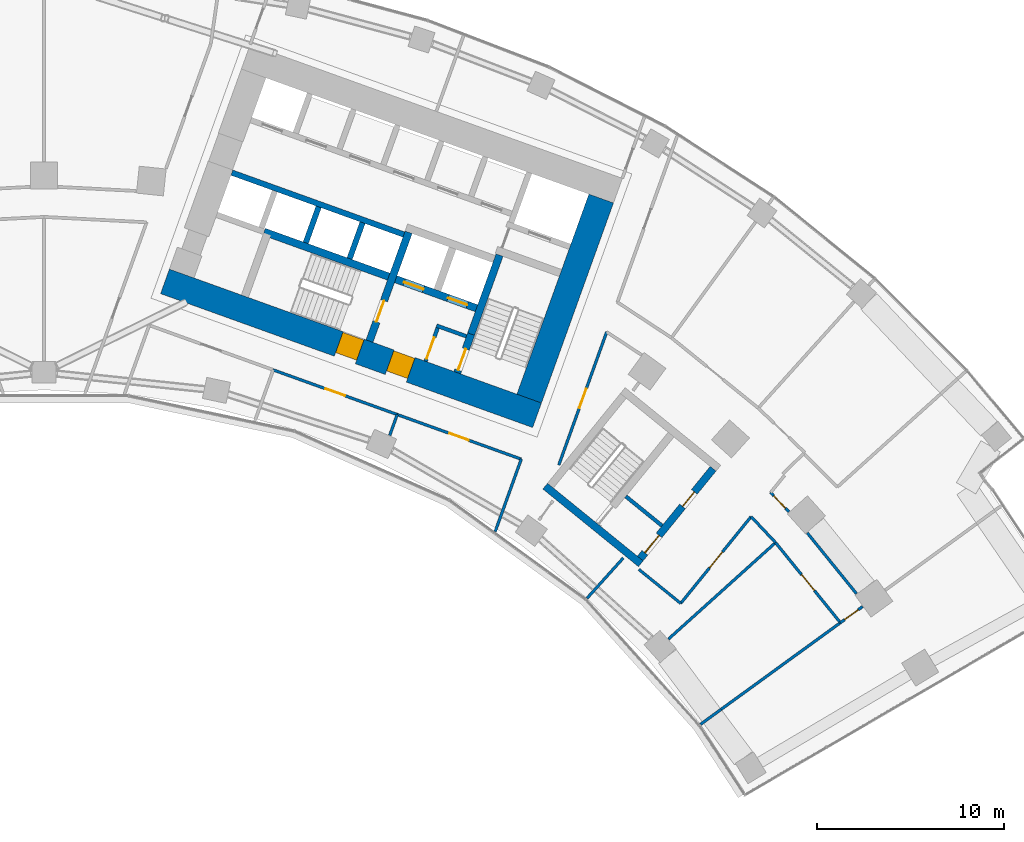
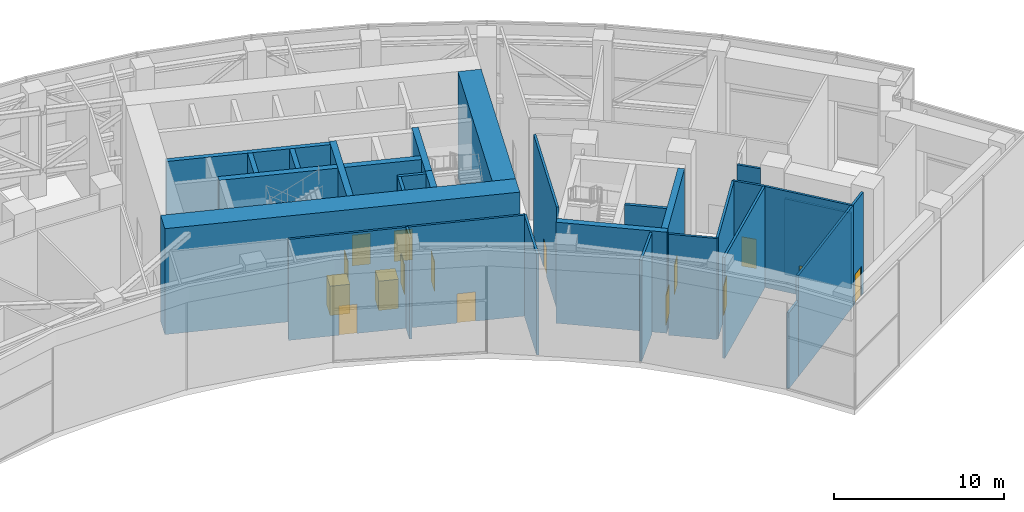
# One storey, part 25 of 30: 30 walls, 16 doors, 16 openings.
"""IFC4 building model written with IfcOpenShell, lengths in metres."""

from ifc_helpers import new_model, si_unit, direction, frame, frame_2d, origin, place, context, subcontext, project, spatial, rectangle, extrude, material, layer, layer_set, type_object, element, fill, save


model = new_model("IFC4")

# Units and contexts
model_context = context("Model", 3, precision=1e-05, world=origin(), true_north=direction((0.0, 1.0)))
body_context = subcontext(model_context, "Body", "Model", "MODEL_VIEW")
ifc_project = project(units=[si_unit("LENGTHUNIT", "METRE"), si_unit("AREAUNIT", "SQUARE_METRE"), si_unit("VOLUMEUNIT", "CUBIC_METRE"), si_unit("PLANEANGLEUNIT", "RADIAN"), si_unit("MASSUNIT", "GRAM", prefix="KILO")], contexts=[model_context])

# Site, building, storey
site_placement = place(None, origin())
site = spatial("IfcSite", under=ifc_project, at=site_placement, CompositionType="ELEMENT")
building_placement = place(site_placement, origin())
building = spatial("IfcBuilding", under=site, at=building_placement, Name="Stone Belt Terrace Tower", CompositionType="ELEMENT")
storey_placement = place(building_placement, frame((0.0, 0.0, 136.39990234375)))
storey = spatial("IfcBuildingStorey", under=building, at=storey_placement, Name="L33", CompositionType="ELEMENT", Elevation=136.39990234375)

# Wall, openings, doors
ifc_material_1 = material(Name="Concrete B80", Category="concrete")
ifc_layer_1 = layer(ifc_material_1, 1.39990234375)
ifc_layer_set_1 = layer_set([ifc_layer_1], Name="Core wall 1400 B80")
wall_type_1 = type_object("IfcWallType", Name="Core wall 1400 B80", PredefinedType="SHEAR", material=ifc_layer_set_1)
wall_1_placement = place(storey_placement, frame((6.4833984375, 49.318115234375, 0.0), z_axis=(0.0, 0.0, 1.0), x_axis=(0.940923374003, -0.33861955681, 0.0)))
wall_1 = element("IfcWall", 1, at=wall_1_placement, inside=storey, type_object=wall_type_1, Name="Core B wall concave L33", PredefinedType="SHEAR", context=body_context, shape_type="SweptSolid", body=[
    extrude(rectangle(XDim=21.199951171875, YDim=1.39990234375, at=frame_2d((10.60009765625, 0.0))), origin(), (0.0, 0.0, 1.0), 7.60009765625),
])
opening_1_placement = place(wall_1_placement, frame((12.800048828125, 0.0, 0.0)))
opening_1 = element("IfcOpeningElement", 2, at=opening_1_placement, cuts=wall_1, Name="Opening L33-C13", PredefinedType="OPENING", context=body_context, shape_type="SweptSolid", body=[
    extrude(rectangle(XDim=1.199951171875, YDim=2.10009765625, at=frame_2d((0.60009765625, 1.050048828125))), frame((0.0, 0.7099609375, 0.0), z_axis=(0.0, -1.0, 0.0), x_axis=(1.0, 0.0, 0.0)), (0.0, 0.0, 1.0), 1.419921875),
])
opening_2_placement = place(wall_1_placement, frame((9.89990234375, 0.0, 0.0)))
opening_2 = element("IfcOpeningElement", 3, at=opening_2_placement, cuts=wall_1, Name="Opening L33-C15", PredefinedType="OPENING", context=body_context, shape_type="SweptSolid", body=[
    extrude(rectangle(XDim=1.199951171875, YDim=2.10009765625, at=frame_2d((0.60009765625, 1.050048828125))), frame((0.0, 0.7099609375, 0.0), z_axis=(0.0, -1.0, 0.0), x_axis=(1.0, 0.0, 0.0)), (0.0, 0.0, 1.0), 1.419921875),
])
ifc_material_2 = material(Name="Steel door leaf", Category="steel")
door_type_1 = type_object("IfcDoorType", Name="Fire-fighting lobby door 1200", OperationType="SINGLE_SWING_LEFT", PredefinedType="DOOR", material=ifc_material_2)
door_1_placement = place(opening_1_placement, origin())
door_1 = element("IfcDoor", 4, at=door_1_placement, inside=storey, type_object=door_type_1, Name="Fire-fighting lobby door core B", OperationType="SINGLE_SWING_RIGHT", OverallHeight=2.10009765625, OverallWidth=1.199951171875, PredefinedType="DOOR", context=body_context, shape_type="SweptSolid", body=[
    extrude(rectangle(XDim=1.199951171875, YDim=2.10009765625, at=frame_2d((0.60009765625, 1.050048828125))), frame((0.0, 0.655029296875, 0.0), z_axis=(0.0, -1.0, 0.0), x_axis=(1.0, 0.0, 0.0)), (0.0, 0.0, 1.0), 1.14990234375),
])
fill(opening_1, door_1)
door_type_2 = type_object("IfcDoorType", Name="Stair door 1200", OperationType="SINGLE_SWING_LEFT", PredefinedType="DOOR", material=ifc_material_2)
door_2_placement = place(opening_2_placement, origin())
door_2 = element("IfcDoor", 5, at=door_2_placement, inside=storey, type_object=door_type_2, Name="Stair 2 exit door core B", OperationType="SINGLE_SWING_LEFT", OverallHeight=2.10009765625, OverallWidth=1.199951171875, PredefinedType="DOOR", context=body_context, shape_type="SweptSolid", body=[
    extrude(rectangle(XDim=1.199951171875, YDim=2.10009765625, at=frame_2d((0.60009765625, 1.050048828125))), frame((0.0, 0.655029296875, 0.0), z_axis=(0.0, -1.0, 0.0), x_axis=(1.0, 0.0, 0.0)), (0.0, 0.0, 1.0), 1.14990234375),
])
fill(opening_2, door_2)

# Walls
wall_2_placement = place(storey_placement, frame((26.00927734375, 43.03515625, 0.0), z_axis=(0.0, 0.0, 1.0), x_axis=(0.338625431531, 0.940921259788, 0.0)))
element("IfcWall", 6, at=wall_2_placement, inside=storey, type_object=wall_type_1, Name="Core B wall end_b L33", PredefinedType="SHEAR", context=body_context, shape_type="SweptSolid", body=[
    extrude(rectangle(XDim=11.400146484375, YDim=1.39990234375, at=frame_2d((5.7001953125, 0.0))), origin(), (0.0, 0.0, 1.0), 7.60009765625),
])
ifc_layer_2 = layer(ifc_material_1, 0.300048828125)
ifc_layer_set_2 = layer_set([ifc_layer_2], Name="Lift shaft wall 300")
wall_type_2 = type_object("IfcWallType", Name="Lift shaft wall 300", PredefinedType="SHEAR", material=ifc_layer_set_2)
wall_3_placement = place(storey_placement, frame((19.29052734375, 51.829833984375, 0.0), z_axis=(0.0, 0.0, 1.0), x_axis=(-0.940925833398, 0.338612722803, 0.0)))
element("IfcWall", 7, at=wall_3_placement, inside=storey, type_object=wall_type_2, Name="Core B wall", PredefinedType="SHEAR", context=body_context, shape_type="SweptSolid", body=[
    extrude(rectangle(XDim=9.7998046875, YDim=0.300048828125, at=frame_2d((4.89990234375, 0.0))), origin(), (0.0, 0.0, 1.0), 7.25),
])
for number, where, z_axis, x_axis, name in (
    (8, (16.38134765625, 50.53857421875, 0.0), (0.0, 0.0, 1.0), (0.338681515556, 0.940901073982, 0.0), "Core B wall"),
    (9, (14.029052734375, 51.38525390625, 0.0), (0.0, 0.0, 1.0), (0.338681515556, 0.940901073982, 0.0), "Core B wall"),
):
    element("IfcWall", number, at=place(storey_placement, frame(where, z_axis=z_axis, x_axis=x_axis)), inside=storey, type_object=wall_type_2, Name=name, PredefinedType="SHEAR", context=body_context, shape_type="SweptSolid", body=[
        extrude(rectangle(XDim=2.050048828125, YDim=0.300048828125, at=frame_2d((1.02490234375, 0.0))), origin(), (0.0, 0.0, 1.0), 7.25),
    ])
ifc_material_3 = material(Name="Gypsum board partition")
ifc_layer_3 = layer(ifc_material_3, 0.14990234375)
ifc_layer_set_3 = layer_set([ifc_layer_3], Name="PARTITION 150 EI 60")
wall_type_3 = type_object("IfcWallType", Name="PARTITION 150 EI 60", PredefinedType="PARTITIONING", material=ifc_layer_set_3)
wall_4_placement = place(storey_placement, frame((24.18603515625, 35.902099609375, 0.0), z_axis=(0.0, 0.0, 1.0), x_axis=(0.338545933013, 0.940949866486, 0.0)))
element("IfcWall", 10, at=wall_4_placement, inside=storey, type_object=wall_type_3, Name="L33/wall/i023", PredefinedType="PARTITIONING", context=body_context, shape_type="SweptSolid", body=[
    extrude(rectangle(XDim=4.135009765625, YDim=0.14990234375, at=frame_2d((2.0673828125, 0.0))), origin(), (0.0, 0.0, 1.0), 7.25),
])

# Wall, opening, door
wall_5_placement = place(storey_placement, frame((30.1669921875, 46.612060546875, 0.0), z_axis=(0.0, 0.0, 1.0), x_axis=(-0.338694393991, -0.940896438233, 0.0)))
wall_5 = element("IfcWall", 11, at=wall_5_placement, inside=storey, type_object=wall_type_3, Name="L33/wall/i025", PredefinedType="PARTITIONING", context=body_context, shape_type="SweptSolid", body=[
    extrude(rectangle(XDim=7.585205078125, YDim=0.14990234375, at=frame_2d((3.79248046875, 0.0))), origin(), (0.0, 0.0, 1.0), 7.25),
])
opening_3_placement = place(wall_5_placement, frame((3.24267578125, 0.0, 0.0)))
opening_3 = element("IfcOpeningElement", 12, at=opening_3_placement, cuts=wall_5, Name="Opening D-T2-20", PredefinedType="OPENING", context=body_context, shape_type="SweptSolid", body=[
    extrude(rectangle(XDim=1.10009765625, YDim=2.10009765625, at=frame_2d((0.550048828125, 1.050048828125))), frame((0.0, 0.0849609375, 0.0), z_axis=(0.0, -1.0, 0.0), x_axis=(1.0, 0.0, 0.0)), (0.0, 0.0, 1.0), 0.169921875),
])
ifc_material_4 = material(Name="Steel fire door set", Category="steel")
door_type_3 = type_object("IfcDoorType", Name="SERVICE ROOM DOOR 1100 X 2100", OperationType="NOTDEFINED", PredefinedType="DOOR", material=ifc_material_4)
door_3_placement = place(opening_3_placement, origin())
door_3 = element("IfcDoor", 13, at=door_3_placement, inside=storey, type_object=door_type_3, Name="L33/door/i20", OperationType="SINGLE_SWING_RIGHT", OverallHeight=2.10009765625, OverallWidth=1.10009765625, PredefinedType="DOOR", context=body_context, shape_type="SweptSolid", body=[
    extrude(rectangle(XDim=1.10009765625, YDim=2.10009765625, at=frame_2d((0.550048828125, 1.050048828125))), frame((0.0, 0.02490234375, 0.0), z_axis=(0.0, -1.0, 0.0), x_axis=(1.0, 0.0, 0.0)), (0.0, 0.0, 1.0), 0.050048828125),
])
fill(opening_3, door_3)

wall_6_placement = place(storey_placement, frame((18.94091796875, 42.177978515625, 0.0), z_axis=(0.0, 0.0, 1.0), x_axis=(-0.940930050063, 0.338601005444, 0.0)))
wall_6 = element("IfcWall", 14, at=wall_6_placement, inside=storey, type_object=wall_type_3, Name="L33/wall/i029", PredefinedType="PARTITIONING", context=body_context, shape_type="SweptSolid", body=[
    extrude(rectangle(XDim=7.0791015625, YDim=0.14990234375, at=frame_2d((3.53955078125, 0.0))), origin(), (0.0, 0.0, 1.0), 7.25),
])
opening_4_placement = place(wall_6_placement, frame((2.989501953125, 0.0, 0.0)))
opening_4 = element("IfcOpeningElement", 15, at=opening_4_placement, cuts=wall_6, Name="Opening D-T2-07", PredefinedType="OPENING", context=body_context, shape_type="SweptSolid", body=[
    extrude(rectangle(XDim=1.10009765625, YDim=2.10009765625, at=frame_2d((0.550048828125, 1.050048828125))), frame((0.0, 0.0849609375, 0.0), z_axis=(0.0, -1.0, 0.0), x_axis=(1.0, 0.0, 0.0)), (0.0, 0.0, 1.0), 0.169921875),
])
door_4_placement = place(opening_4_placement, origin())
door_4 = element("IfcDoor", 16, at=door_4_placement, inside=storey, type_object=door_type_3, Name="L33/door/i07", OperationType="SINGLE_SWING_RIGHT", OverallHeight=2.10009765625, OverallWidth=1.10009765625, PredefinedType="DOOR", context=body_context, shape_type="SweptSolid", body=[
    extrude(rectangle(XDim=1.10009765625, YDim=2.10009765625, at=frame_2d((0.550048828125, 1.050048828125))), frame((0.0, 0.02490234375, 0.0), z_axis=(0.0, -1.0, 0.0), x_axis=(1.0, 0.0, 0.0)), (0.0, 0.0, 1.0), 0.050048828125),
])
fill(opening_4, door_4)

wall_7_placement = place(storey_placement, frame((25.583984375, 39.787109375, 0.0), z_axis=(0.0, 0.0, 1.0), x_axis=(-0.940934046642, 0.338589899245, 0.0)))
wall_7 = element("IfcWall", 17, at=wall_7_placement, inside=storey, type_object=wall_type_3, Name="L33/wall/i030", PredefinedType="PARTITIONING", context=body_context, shape_type="SweptSolid", body=[
    extrude(rectangle(XDim=7.07275390625, YDim=0.14990234375, at=frame_2d((3.536376953125, 0.0))), origin(), (0.0, 0.0, 1.0), 7.25),
])
opening_5_placement = place(wall_7_placement, frame((2.986328125, 0.0, 0.0)))
opening_5 = element("IfcOpeningElement", 18, at=opening_5_placement, cuts=wall_7, Name="Opening D-T2-08", PredefinedType="OPENING", context=body_context, shape_type="SweptSolid", body=[
    extrude(rectangle(XDim=1.10009765625, YDim=2.10009765625, at=frame_2d((0.550048828125, 1.050048828125))), frame((0.0, 0.0849609375, 0.0), z_axis=(0.0, -1.0, 0.0), x_axis=(1.0, 0.0, 0.0)), (0.0, 0.0, 1.0), 0.169921875),
])
door_5_placement = place(opening_5_placement, origin())
door_5 = element("IfcDoor", 19, at=door_5_placement, inside=storey, type_object=door_type_3, Name="L33/door/i08", OperationType="SINGLE_SWING_LEFT", OverallHeight=2.10009765625, OverallWidth=1.10009765625, PredefinedType="DOOR", context=body_context, shape_type="SweptSolid", body=[
    extrude(rectangle(XDim=1.10009765625, YDim=2.10009765625, at=frame_2d((0.550048828125, 1.050048828125))), frame((0.0, 0.02490234375, 0.0), z_axis=(0.0, -1.0, 0.0), x_axis=(1.0, 0.0, 0.0)), (0.0, 0.0, 1.0), 0.050048828125),
])
fill(opening_5, door_5)

# Wall
wall_8_placement = place(storey_placement, frame((18.93505859375, 42.179931640625, 0.0), z_axis=(0.0, 0.0, 1.0), x_axis=(-0.338639426821, -0.940916222946, 0.0)))
element("IfcWall", 20, at=wall_8_placement, inside=storey, type_object=wall_type_3, Name="L33/wall/i032", PredefinedType="PARTITIONING", context=body_context, shape_type="SweptSolid", body=[
    extrude(rectangle(XDim=1.188232421875, YDim=0.14990234375, at=frame_2d((0.59423828125, 0.0))), origin(), (0.0, 0.0, 1.0), 7.25),
])

# Wall, opening, door
wall_9_placement = place(storey_placement, frame((43.885498046875, 31.8837890625, 0.0), z_axis=(0.0, 0.0, 1.0), x_axis=(-0.809093464273, -0.587679986108, 0.0)))
wall_9 = element("IfcWall", 21, at=wall_9_placement, inside=storey, type_object=wall_type_3, Name="L33/wall/i055", PredefinedType="PARTITIONING", context=body_context, shape_type="SweptSolid", body=[
    extrude(rectangle(XDim=1.4765625, YDim=0.14990234375, at=frame_2d((0.73828125, 0.0))), origin(), (0.0, 0.0, 1.0), 7.25),
])
opening_6_placement = place(wall_9_placement, frame((0.288330078125, 0.0, 0.0)))
opening_6 = element("IfcOpeningElement", 22, at=opening_6_placement, cuts=wall_9, Name="Opening D-T2-19", PredefinedType="OPENING", context=body_context, shape_type="SweptSolid", body=[
    extrude(rectangle(XDim=0.89990234375, YDim=2.10009765625, at=frame_2d((0.449951171875, 1.050048828125))), frame((0.0, 0.0849609375, 0.0), z_axis=(0.0, -1.0, 0.0), x_axis=(1.0, 0.0, 0.0)), (0.0, 0.0, 1.0), 0.169921875),
])
door_type_4 = type_object("IfcDoorType", Name="SERVICE ROOM DOOR 900 X 2100", OperationType="NOTDEFINED", PredefinedType="DOOR", material=ifc_material_4)
door_6_placement = place(opening_6_placement, origin())
door_6 = element("IfcDoor", 23, at=door_6_placement, inside=storey, type_object=door_type_4, Name="L33/door/i19", OperationType="SINGLE_SWING_RIGHT", OverallHeight=2.10009765625, OverallWidth=0.89990234375, PredefinedType="DOOR", context=body_context, shape_type="SweptSolid", body=[
    extrude(rectangle(XDim=0.89990234375, YDim=2.10009765625, at=frame_2d((0.449951171875, 1.050048828125))), frame((0.0, 0.02490234375, 0.0), z_axis=(0.0, -1.0, 0.0), x_axis=(1.0, 0.0, 0.0)), (0.0, 0.0, 1.0), 0.050048828125),
])
fill(opening_6, door_6)

# Walls
wall_10_placement = place(storey_placement, frame((35.192138671875, 25.568115234375, 0.0), z_axis=(0.0, 0.0, 1.0), x_axis=(0.80905317797, 0.587735446623, 0.0)))
element("IfcWall", 24, at=wall_10_placement, inside=storey, type_object=wall_type_3, Name="L33/wall/i056-2", PredefinedType="PARTITIONING", context=body_context, shape_type="SweptSolid", body=[
    extrude(rectangle(XDim=1.364501953125, YDim=0.14990234375, at=frame_2d((0.68212890625, 0.0))), origin(), (0.0, 0.0, 1.0), 5.4501953125),
])
wall_11_placement = place(storey_placement, frame((36.296142578125, 26.3701171875, 0.0), z_axis=(0.0, 0.0, 1.0), x_axis=(0.809048034644, 0.587742526654, 0.0)))
element("IfcWall", 25, at=wall_11_placement, inside=storey, type_object=wall_type_3, Name="L33/wall/i056-3", PredefinedType="PARTITIONING", context=body_context, shape_type="SweptSolid", body=[
    extrude(rectangle(XDim=7.91650390625, YDim=0.14990234375, at=frame_2d((3.958251953125, 0.0))), origin(), (0.0, 0.0, 1.0), 7.25),
])
wall_12_placement = place(storey_placement, frame((39.218994140625, 35.31298828125, 0.0), z_axis=(0.0, 0.0, 1.0), x_axis=(-0.685150397177, 0.728401629082, 0.0)))
element("IfcWall", 26, at=wall_12_placement, inside=storey, type_object=wall_type_3, Name="L33/wall/i064", PredefinedType="PARTITIONING", context=body_context, shape_type="SweptSolid", body=[
    extrude(rectangle(XDim=1.919189453125, YDim=0.14990234375, at=frame_2d((0.95947265625, 0.0))), origin(), (0.0, 0.0, 1.0), 7.25),
])

# Wall, opening, door
wall_13_placement = place(storey_placement, frame((42.696044921875, 31.02001953125, 0.0), z_axis=(0.0, 0.0, 1.0), x_axis=(-0.629393988906, 0.777086357318, 0.0)))
wall_13 = element("IfcWall", 27, at=wall_13_placement, inside=storey, type_object=wall_type_3, Name="L33/wall/i065", PredefinedType="PARTITIONING", context=body_context, shape_type="SweptSolid", body=[
    extrude(rectangle(XDim=5.5244140625, YDim=0.14990234375, at=frame_2d((2.76220703125, 0.0))), origin(), (0.0, 0.0, 1.0), 7.25),
])
opening_7_placement = place(wall_13_placement, frame((2.212158203125, 0.0, 0.0)))
opening_7 = element("IfcOpeningElement", 28, at=opening_7_placement, cuts=wall_13, Name="Opening D-T2-23", PredefinedType="OPENING", context=body_context, shape_type="SweptSolid", body=[
    extrude(rectangle(XDim=1.10009765625, YDim=2.10009765625, at=frame_2d((0.550048828125, 1.050048828125))), frame((0.0, 0.0849609375, 0.0), z_axis=(0.0, -1.0, 0.0), x_axis=(1.0, 0.0, 0.0)), (0.0, 0.0, 1.0), 0.169921875),
])
door_7_placement = place(opening_7_placement, origin())
door_7 = element("IfcDoor", 29, at=door_7_placement, inside=storey, type_object=door_type_3, Name="L33/door/i23", OperationType="SINGLE_SWING_RIGHT", OverallHeight=2.10009765625, OverallWidth=1.10009765625, PredefinedType="DOOR", context=body_context, shape_type="SweptSolid", body=[
    extrude(rectangle(XDim=1.10009765625, YDim=2.10009765625, at=frame_2d((0.550048828125, 1.050048828125))), frame((0.0, 0.02490234375, 0.0), z_axis=(0.0, -1.0, 0.0), x_axis=(1.0, 0.0, 0.0)), (0.0, 0.0, 1.0), 0.050048828125),
])
fill(opening_7, door_7)

wall_14_placement = place(storey_placement, frame((38.951904296875, 38.00390625, 0.0), z_axis=(0.0, 0.0, 1.0), x_axis=(0.685525137742, -0.728048958192, 0.0)))
wall_14 = element("IfcWall", 30, at=wall_14_placement, inside=storey, type_object=wall_type_3, Name="L33/wall/i066", PredefinedType="PARTITIONING", context=body_context, shape_type="SweptSolid", body=[
    extrude(rectangle(XDim=1.423828125, YDim=0.14990234375, at=frame_2d((0.7119140625, 0.0))), origin(), (0.0, 0.0, 1.0), 7.25),
])
opening_8_placement = place(wall_14_placement, frame((0.261962890625, 0.0, 0.0)))
opening_8 = element("IfcOpeningElement", 31, at=opening_8_placement, cuts=wall_14, Name="Opening D-T2-27", PredefinedType="OPENING", context=body_context, shape_type="SweptSolid", body=[
    extrude(rectangle(XDim=0.89990234375, YDim=2.10009765625, at=frame_2d((0.449951171875, 1.050048828125))), frame((0.0, 0.0849609375, 0.0), z_axis=(0.0, -1.0, 0.0), x_axis=(1.0, 0.0, 0.0)), (0.0, 0.0, 1.0), 0.169921875),
])
door_8_placement = place(opening_8_placement, origin())
door_8 = element("IfcDoor", 32, at=door_8_placement, inside=storey, type_object=door_type_4, Name="L33/door/i27", OperationType="SINGLE_SWING_RIGHT", OverallHeight=2.10009765625, OverallWidth=0.89990234375, PredefinedType="DOOR", context=body_context, shape_type="SweptSolid", body=[
    extrude(rectangle(XDim=0.89990234375, YDim=2.10009765625, at=frame_2d((0.449951171875, 1.050048828125))), frame((0.0, 0.02490234375, 0.0), z_axis=(0.0, -1.0, 0.0), x_axis=(1.0, 0.0, 0.0)), (0.0, 0.0, 1.0), 0.050048828125),
])
fill(opening_8, door_8)

# Wall
wall_15_placement = place(storey_placement, frame((40.92138671875, 35.829833984375, 0.0), z_axis=(0.0, 0.0, 1.0), x_axis=(0.629344234513, -0.777126652796, 0.0)))
element("IfcWall", 33, at=wall_15_placement, inside=storey, type_object=wall_type_3, Name="L33/wall/i067", PredefinedType="PARTITIONING", context=body_context, shape_type="SweptSolid", body=[
    extrude(rectangle(XDim=4.1845703125, YDim=0.14990234375, at=frame_2d((2.09228515625, 0.0))), origin(), (0.0, 0.0, 1.0), 5.4501953125),
])

# Wall, opening, door
wall_16_placement = place(storey_placement, frame((34.133056640625, 32.055908203125, 0.0), z_axis=(0.0, 0.0, 1.0), x_axis=(0.630176722579, 0.776451735988, 0.0)))
wall_16 = element("IfcWall", 34, at=wall_16_placement, inside=storey, type_object=wall_type_3, Name="L33/wall/i068", PredefinedType="PARTITIONING", context=body_context, shape_type="SweptSolid", body=[
    extrude(rectangle(XDim=5.990234375, YDim=0.14990234375, at=frame_2d((2.9951171875, 0.0))), origin(), (0.0, 0.0, 1.0), 7.25),
])
opening_9_placement = place(wall_16_placement, frame((2.445068359375, 0.0, 0.0)))
opening_9 = element("IfcOpeningElement", 35, at=opening_9_placement, cuts=wall_16, Name="Opening D-T2-22", PredefinedType="OPENING", context=body_context, shape_type="SweptSolid", body=[
    extrude(rectangle(XDim=1.10009765625, YDim=2.10009765625, at=frame_2d((0.550048828125, 1.050048828125))), frame((0.0, 0.0849609375, 0.0), z_axis=(0.0, -1.0, 0.0), x_axis=(1.0, 0.0, 0.0)), (0.0, 0.0, 1.0), 0.169921875),
])
door_9_placement = place(opening_9_placement, origin())
door_9 = element("IfcDoor", 36, at=door_9_placement, inside=storey, type_object=door_type_3, Name="L33/door/i22", OperationType="SINGLE_SWING_RIGHT", OverallHeight=2.10009765625, OverallWidth=1.10009765625, PredefinedType="DOOR", context=body_context, shape_type="SweptSolid", body=[
    extrude(rectangle(XDim=1.10009765625, YDim=2.10009765625, at=frame_2d((0.550048828125, 1.050048828125))), frame((0.0, 0.02490234375, 0.0), z_axis=(0.0, -1.0, 0.0), x_axis=(1.0, 0.0, 0.0)), (0.0, 0.0, 1.0), 0.050048828125),
])
fill(opening_9, door_9)

# Walls
wall_17_placement = place(storey_placement, frame((34.133056640625, 32.055908203125, 0.0), z_axis=(0.0, 0.0, 1.0), x_axis=(-0.776369956068, 0.630277471686, 0.0)))
element("IfcWall", 37, at=wall_17_placement, inside=storey, type_object=wall_type_3, Name="L33/wall/i069", PredefinedType="PARTITIONING", context=body_context, shape_type="SweptSolid", body=[
    extrude(rectangle(XDim=2.8876953125, YDim=0.14990234375, at=frame_2d((1.44384765625, 0.0))), origin(), (0.0, 0.0, 1.0), 7.25),
])
wall_18_placement = place(storey_placement, frame((31.054931640625, 34.489990234375, 0.0), z_axis=(0.0, 0.0, 1.0), x_axis=(-0.669108362487, -0.743164853347, 0.0)))
element("IfcWall", 38, at=wall_18_placement, inside=storey, type_object=wall_type_3, Name="L33/wall/i071", PredefinedType="PARTITIONING", context=body_context, shape_type="SweptSolid", body=[
    extrude(rectangle(XDim=2.910888671875, YDim=0.14990234375, at=frame_2d((1.45556640625, 0.0))), origin(), (0.0, 0.0, 1.0), 7.25),
])
wall_19_placement = place(storey_placement, frame((39.218994140625, 35.31298828125, 0.0), z_axis=(0.0, 0.0, 1.0), x_axis=(-0.743133821939, -0.669142826824, 0.0)))
element("IfcWall", 39, at=wall_19_placement, inside=storey, type_object=wall_type_3, Name="L33/wall/i072", PredefinedType="PARTITIONING", context=body_context, shape_type="SweptSolid", body=[
    extrude(rectangle(XDim=7.724365234375, YDim=0.14990234375, at=frame_2d((3.8623046875, 0.0))), origin(), (0.0, 0.0, 1.0), 7.25),
])
ifc_material_5 = material(Name="Concrete masonry block", Category="masonry")
ifc_layer_4 = layer(ifc_material_5, 0.199951171875)
ifc_layer_set_4 = layer_set([ifc_layer_4], Name="Rated lobby wall 200")
wall_type_4 = type_object("IfcWallType", Name="Rated lobby wall 200", PredefinedType="PARTITIONING", material=ifc_layer_set_4)
wall_20_placement = place(storey_placement, frame((22.640625, 46.373046875, 0.0), z_axis=(0.0, 0.0, 1.0), x_axis=(-0.940966110313, 0.338500781747, 0.0)))
element("IfcWall", 40, at=wall_20_placement, inside=storey, type_object=wall_type_4, Name="Core B wall", PredefinedType="PARTITIONING", context=body_context, shape_type="SweptSolid", body=[
    extrude(rectangle(XDim=1.699951171875, YDim=0.199951171875, at=frame_2d((0.85009765625, 0.0))), origin(), (0.0, 0.0, 1.0), 7.25),
])

# Wall, opening, door
wall_21_placement = place(storey_placement, frame((20.4580078125, 45.032958984375, 0.0), z_axis=(0.0, 0.0, 1.0), x_axis=(0.338573865316, 0.940939816208, 0.0)))
wall_21 = element("IfcWall", 41, at=wall_21_placement, inside=storey, type_object=wall_type_4, Name="Core B wall", PredefinedType="PARTITIONING", context=body_context, shape_type="SweptSolid", body=[
    extrude(rectangle(XDim=1.900146484375, YDim=0.199951171875, at=frame_2d((0.9501953125, 0.0))), origin(), (0.0, 0.0, 1.0), 7.25),
])
opening_10_placement = place(wall_21_placement, frame((0.14990234375, 0.0, 0.0)))
opening_10 = element("IfcOpeningElement", 42, at=opening_10_placement, cuts=wall_21, Name="Opening L33-C12", PredefinedType="OPENING", context=body_context, shape_type="SweptSolid", body=[
    extrude(rectangle(XDim=1.199951171875, YDim=2.10009765625, at=frame_2d((0.60009765625, 1.050048828125))), frame((0.0, 0.10986328125, 0.0), z_axis=(0.0, -1.0, 0.0), x_axis=(1.0, 0.0, 0.0)), (0.0, 0.0, 1.0), 0.219970703125),
])
door_10_placement = place(opening_10_placement, origin())
door_10 = element("IfcDoor", 43, at=door_10_placement, inside=storey, type_object=door_type_2, Name="Stair airlock door core B", OperationType="SINGLE_SWING_RIGHT", OverallHeight=2.10009765625, OverallWidth=1.199951171875, PredefinedType="DOOR", context=body_context, shape_type="SweptSolid", body=[
    extrude(rectangle(XDim=1.199951171875, YDim=2.10009765625, at=frame_2d((0.60009765625, 1.050048828125))), frame((0.0, 0.02490234375, 0.0), z_axis=(0.0, -1.0, 0.0), x_axis=(1.0, 0.0, 0.0)), (0.0, 0.0, 1.0), 0.050048828125),
])
fill(opening_10, door_10)

# Wall
wall_22_placement = place(storey_placement, frame((31.190673828125, 37.79296875, 0.0), z_axis=(0.0, 0.0, 1.0), x_axis=(0.776370830301, -0.630276394813, 0.0)))
element("IfcWall", 44, at=wall_22_placement, inside=storey, type_object=wall_type_4, Name="Exit stair ST3B wall", PredefinedType="PARTITIONING", context=body_context, shape_type="SweptSolid", body=[
    extrude(rectangle(XDim=2.5, YDim=0.199951171875, at=frame_2d((1.25, 0.0))), origin(), (0.0, 0.0, 1.0), 7.25),
])

# Wall, opening, door
ifc_layer_5 = layer(ifc_material_1, 0.39990234375)
ifc_layer_set_5 = layer_set([ifc_layer_5], Name="Stair enclosure wall 400")
wall_type_5 = type_object("IfcWallType", Name="Stair enclosure wall 400", PredefinedType="SHEAR", material=ifc_layer_set_5)
wall_23_placement = place(storey_placement, frame((22.151611328125, 44.42333984375, 0.0), z_axis=(0.0, 0.0, 1.0), x_axis=(0.338577997708, 0.940938329259, 0.0)))
wall_23 = element("IfcWall", 45, at=wall_23_placement, inside=storey, type_object=wall_type_5, Name="Core B wall", PredefinedType="SHEAR", context=body_context, shape_type="SweptSolid", body=[
    extrude(rectangle(XDim=2.199951171875, YDim=0.39990234375, at=frame_2d((1.10009765625, 0.0))), origin(), (0.0, 0.0, 1.0), 7.25),
])
opening_11_placement = place(wall_23_placement, frame((0.14990234375, 0.0, 0.0)))
opening_11 = element("IfcOpeningElement", 46, at=opening_11_placement, cuts=wall_23, Name="Opening L33-C11", PredefinedType="OPENING", context=body_context, shape_type="SweptSolid", body=[
    extrude(rectangle(XDim=1.199951171875, YDim=2.10009765625, at=frame_2d((0.60009765625, 1.050048828125))), frame((0.0, 0.2099609375, 0.0), z_axis=(0.0, -1.0, 0.0), x_axis=(1.0, 0.0, 0.0)), (0.0, 0.0, 1.0), 0.419921875),
])
door_11_placement = place(opening_11_placement, origin())
door_11 = element("IfcDoor", 47, at=door_11_placement, inside=storey, type_object=door_type_2, Name="Stair 1 door core B", OperationType="SINGLE_SWING_RIGHT", OverallHeight=2.10009765625, OverallWidth=1.199951171875, PredefinedType="DOOR", context=body_context, shape_type="SweptSolid", body=[
    extrude(rectangle(XDim=1.199951171875, YDim=2.10009765625, at=frame_2d((0.60009765625, 1.050048828125))), frame((0.0, 0.02490234375, 0.0), z_axis=(0.0, -1.0, 0.0), x_axis=(1.0, 0.0, 0.0)), (0.0, 0.0, 1.0), 0.050048828125),
])
fill(opening_11, door_11)

# Wall
wall_24_placement = place(storey_placement, frame((22.896484375, 46.493408203125, 0.0), z_axis=(0.0, 0.0, 1.0), x_axis=(0.338648384874, 0.940912998859, 0.0)))
element("IfcWall", 48, at=wall_24_placement, inside=storey, type_object=wall_type_5, Name="Core B wall", PredefinedType="SHEAR", context=body_context, shape_type="SweptSolid", body=[
    extrude(rectangle(XDim=4.5, YDim=0.39990234375, at=frame_2d((2.25, 0.0))), origin(), (0.0, 0.0, 1.0), 7.25),
])

# Wall, openings, doors
wall_25_placement = place(storey_placement, frame((23.182373046875, 47.87841796875, 0.0), z_axis=(0.0, 0.0, 1.0), x_axis=(-0.940921101762, 0.338625870628, 0.0)))
wall_25 = element("IfcWall", 49, at=wall_25_placement, inside=storey, type_object=wall_type_5, Name="Core B wall", PredefinedType="SHEAR", context=body_context, shape_type="SweptSolid", body=[
    extrude(rectangle(XDim=12.10009765625, YDim=0.39990234375, at=frame_2d((6.050048828125, 0.0))), origin(), (0.0, 0.0, 1.0), 7.25),
])
opening_12_placement = place(wall_25_placement, frame((0.52001953125, 0.0, 0.0)))
opening_12 = element("IfcOpeningElement", 50, at=opening_12_placement, cuts=wall_25, Name="Opening L33-LD16", PredefinedType="OPENING", context=body_context, shape_type="SweptSolid", body=[
    extrude(rectangle(XDim=1.10009765625, YDim=2.199951171875, at=frame_2d((0.550048828125, 1.10009765625))), frame((0.0, 0.2099609375, 0.0), z_axis=(0.0, -1.0, 0.0), x_axis=(1.0, 0.0, 0.0)), (0.0, 0.0, 1.0), 0.419921875),
])
opening_13_placement = place(wall_25_placement, frame((3.02001953125, 0.0, 0.0)))
opening_13 = element("IfcOpeningElement", 51, at=opening_13_placement, cuts=wall_25, Name="Opening L33-LD17", PredefinedType="OPENING", context=body_context, shape_type="SweptSolid", body=[
    extrude(rectangle(XDim=1.10009765625, YDim=2.199951171875, at=frame_2d((0.550048828125, 1.10009765625))), frame((0.0, 0.2099609375, 0.0), z_axis=(0.0, -1.0, 0.0), x_axis=(1.0, 0.0, 0.0)), (0.0, 0.0, 1.0), 0.419921875),
])
ifc_material_6 = material(Name="Stainless steel door leaf", Category="steel")
door_type_5 = type_object("IfcDoorType", Name="Landing door 1100", OperationType="SLIDING_TO_LEFT", PredefinedType="DOOR", material=ifc_material_6)
door_12_placement = place(opening_12_placement, origin())
door_12 = element("IfcDoor", 52, at=door_12_placement, inside=storey, type_object=door_type_5, Name="Landing door FF1 core B", OperationType="SLIDING_TO_LEFT", OverallHeight=2.199951171875, OverallWidth=1.10009765625, PredefinedType="DOOR", context=body_context, shape_type="SweptSolid", body=[
    extrude(rectangle(XDim=1.10009765625, YDim=2.199951171875, at=frame_2d((0.550048828125, 1.10009765625))), frame((0.0, 0.02490234375, 0.0), z_axis=(0.0, -1.0, 0.0), x_axis=(1.0, 0.0, 0.0)), (0.0, 0.0, 1.0), 0.050048828125),
])
fill(opening_12, door_12)
door_13_placement = place(opening_13_placement, origin())
door_13 = element("IfcDoor", 53, at=door_13_placement, inside=storey, type_object=door_type_5, Name="Landing door FF2 core B", OperationType="SLIDING_TO_LEFT", OverallHeight=2.199951171875, OverallWidth=1.10009765625, PredefinedType="DOOR", context=body_context, shape_type="SweptSolid", body=[
    extrude(rectangle(XDim=1.10009765625, YDim=2.199951171875, at=frame_2d((0.550048828125, 1.10009765625))), frame((0.0, 0.02490234375, 0.0), z_axis=(0.0, -1.0, 0.0), x_axis=(1.0, 0.0, 0.0)), (0.0, 0.0, 1.0), 0.050048828125),
])
fill(opening_13, door_13)

# Wall, opening, door
wall_26_placement = place(storey_placement, frame((17.447021484375, 46.116455078125, 0.0), z_axis=(0.0, 0.0, 1.0), x_axis=(0.33860791464, 0.940927563707, 0.0)))
wall_26 = element("IfcWall", 54, at=wall_26_placement, inside=storey, type_object=wall_type_5, Name="Core B wall", PredefinedType="SHEAR", context=body_context, shape_type="SweptSolid", body=[
    extrude(rectangle(XDim=6.199951171875, YDim=0.39990234375, at=frame_2d((3.10009765625, 0.0))), origin(), (0.0, 0.0, 1.0), 7.25),
])
opening_14_placement = place(wall_26_placement, frame((1.10009765625, 0.0, 0.0)))
opening_14 = element("IfcOpeningElement", 55, at=opening_14_placement, cuts=wall_26, Name="Opening L33-C14", PredefinedType="OPENING", context=body_context, shape_type="SweptSolid", body=[
    extrude(rectangle(XDim=1.199951171875, YDim=2.10009765625, at=frame_2d((0.60009765625, 1.050048828125))), frame((0.0, 0.2099609375, 0.0), z_axis=(0.0, -1.0, 0.0), x_axis=(1.0, 0.0, 0.0)), (0.0, 0.0, 1.0), 0.419921875),
])
door_14_placement = place(opening_14_placement, origin())
door_14 = element("IfcDoor", 56, at=door_14_placement, inside=storey, type_object=door_type_2, Name="Stair 2 door core B", OperationType="SINGLE_SWING_RIGHT", OverallHeight=2.10009765625, OverallWidth=1.199951171875, PredefinedType="DOOR", context=body_context, shape_type="SweptSolid", body=[
    extrude(rectangle(XDim=1.199951171875, YDim=2.10009765625, at=frame_2d((0.60009765625, 1.050048828125))), frame((0.0, 0.02490234375, 0.0), z_axis=(0.0, -1.0, 0.0), x_axis=(1.0, 0.0, 0.0)), (0.0, 0.0, 1.0), 0.050048828125),
])
fill(opening_14, door_14)

# Wall
wall_27_placement = place(storey_placement, frame((26.868408203125, 38.3388671875, 0.0), z_axis=(0.0, 0.0, 1.0), x_axis=(0.776428452498, -0.630205409491, 0.0)))
element("IfcWall", 57, at=wall_27_placement, inside=storey, type_object=wall_type_5, Name="Exit stair ST3B wall", PredefinedType="SHEAR", context=body_context, shape_type="SweptSolid", body=[
    extrude(rectangle(XDim=6.60009765625, YDim=0.39990234375, at=frame_2d((3.300048828125, 0.0))), origin(), (0.0, 0.0, 1.0), 7.25),
])

# Wall, openings, doors
wall_28_placement = place(storey_placement, frame((31.963623046875, 34.460693359375, 0.0), z_axis=(0.0, 0.0, 1.0), x_axis=(0.630192283849, 0.776439106033, 0.0)))
wall_28 = element("IfcWall", 58, at=wall_28_placement, inside=storey, type_object=wall_type_5, Name="Exit stair ST3B wall", PredefinedType="SHEAR", context=body_context, shape_type="SweptSolid", body=[
    extrude(rectangle(XDim=6.199951171875, YDim=0.39990234375, at=frame_2d((3.10009765625, 0.0))), origin(), (0.0, 0.0, 1.0), 7.25),
])
opening_15_placement = place(wall_28_placement, frame((0.39990234375, 0.0, 0.0)))
opening_15 = element("IfcOpeningElement", 59, at=opening_15_placement, cuts=wall_28, Name="Opening L33-C21", PredefinedType="OPENING", context=body_context, shape_type="SweptSolid", body=[
    extrude(rectangle(XDim=1.199951171875, YDim=2.10009765625, at=frame_2d((0.60009765625, 1.050048828125))), frame((0.0, 0.2099609375, 0.0), z_axis=(0.0, -1.0, 0.0), x_axis=(1.0, 0.0, 0.0)), (0.0, 0.0, 1.0), 0.419921875),
])
opening_16_placement = place(wall_28_placement, frame((3.60009765625, 0.0, 0.0)))
opening_16 = element("IfcOpeningElement", 60, at=opening_16_placement, cuts=wall_28, Name="Opening L33-C22", PredefinedType="OPENING", context=body_context, shape_type="SweptSolid", body=[
    extrude(rectangle(XDim=1.0, YDim=2.10009765625, at=frame_2d((0.5, 1.050048828125))), frame((0.0, 0.2099609375, 0.0), z_axis=(0.0, -1.0, 0.0), x_axis=(1.0, 0.0, 0.0)), (0.0, 0.0, 1.0), 0.419921875),
])
ifc_material_7 = material(Name="Timber door leaf", Category="wood")
door_type_6 = type_object("IfcDoorType", Name="Core room door 1000", OperationType="SINGLE_SWING_LEFT", PredefinedType="DOOR", material=ifc_material_7)
door_15_placement = place(opening_16_placement, origin())
door_15 = element("IfcDoor", 61, at=door_15_placement, inside=storey, type_object=door_type_6, Name="Door to stair pressurisation plant room ST3B", OperationType="SINGLE_SWING_LEFT", OverallHeight=2.10009765625, OverallWidth=1.0, PredefinedType="DOOR", context=body_context, shape_type="SweptSolid", body=[
    extrude(rectangle(XDim=1.0, YDim=2.10009765625, at=frame_2d((0.5, 1.050048828125))), frame((0.0, 0.02490234375, 0.0), z_axis=(0.0, -1.0, 0.0), x_axis=(1.0, 0.0, 0.0)), (0.0, 0.0, 1.0), 0.050048828125),
])
fill(opening_16, door_15)
door_type_7 = type_object("IfcDoorType", Name="Stair airlock door 1200", OperationType="SINGLE_SWING_LEFT", PredefinedType="DOOR", material=ifc_material_2)
door_16_placement = place(opening_15_placement, origin())
door_16 = element("IfcDoor", 62, at=door_16_placement, inside=storey, type_object=door_type_7, Name="Stair airlock door ST3B", OperationType="SINGLE_SWING_LEFT", OverallHeight=2.10009765625, OverallWidth=1.199951171875, PredefinedType="DOOR", context=body_context, shape_type="SweptSolid", body=[
    extrude(rectangle(XDim=1.199951171875, YDim=2.10009765625, at=frame_2d((0.60009765625, 1.050048828125))), frame((0.0, 0.02490234375, 0.0), z_axis=(0.0, -1.0, 0.0), x_axis=(1.0, 0.0, 0.0)), (0.0, 0.0, 1.0), 0.050048828125),
])
fill(opening_15, door_16)

save(model, "model.ifc")
